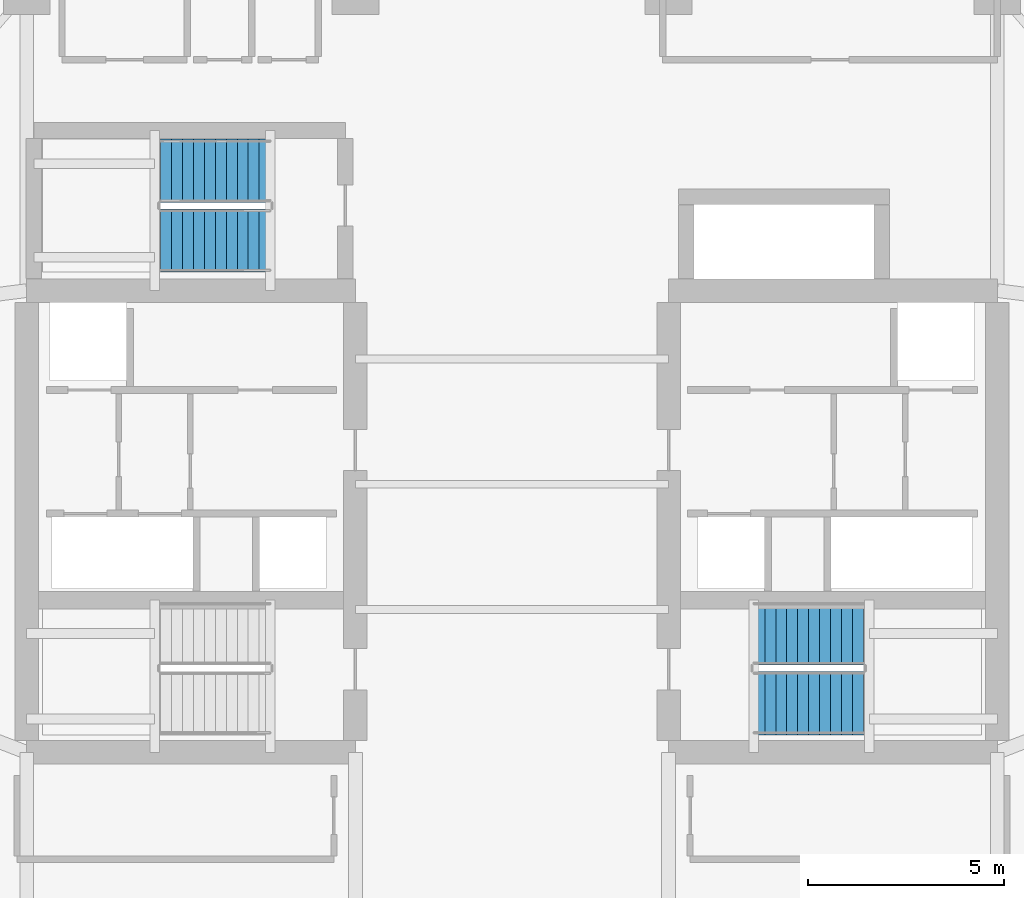
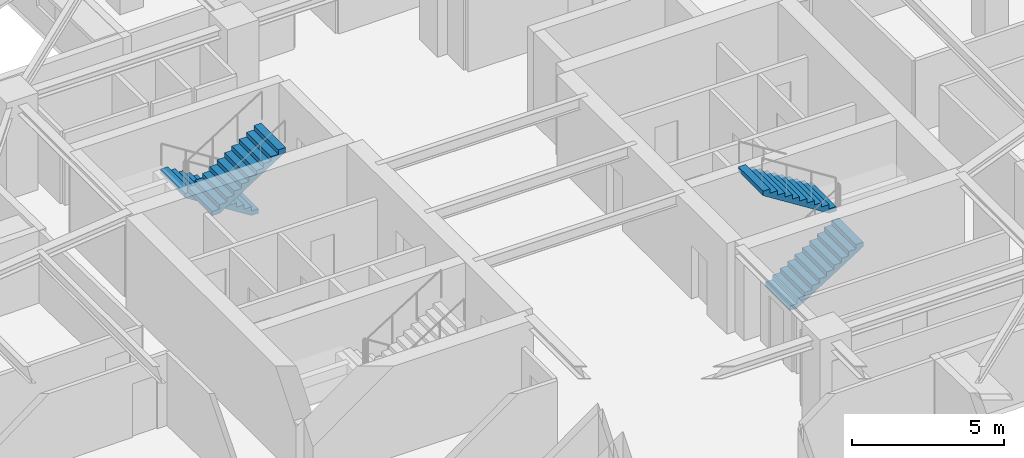
# One storey, part 8 of 13: 4 stair flights, 2 elements without a shape of their own.
"""IFC4 building model written with IfcOpenShell, lengths in metres."""

from ifc_helpers import new_model, si_unit, direction, frame, origin, place, context, subcontext, project, spatial, polyline, outline, extrude, material, layer, layer_set, type_object, element, aggregate, save


model = new_model("IFC4")

# Units and contexts
model_context = context("Model", 3, precision=1e-05, world=origin(), true_north=direction((0.0, 1.0)))
body_context = subcontext(model_context, "Body", "Model", "MODEL_VIEW")
ifc_project = project(units=[si_unit("LENGTHUNIT", "METRE"), si_unit("AREAUNIT", "SQUARE_METRE"), si_unit("VOLUMEUNIT", "CUBIC_METRE"), si_unit("PLANEANGLEUNIT", "RADIAN"), si_unit("MASSUNIT", "GRAM", prefix="KILO")], contexts=[model_context])

# Site, building, storey
site_placement = place(None, origin())
site = spatial("IfcSite", under=ifc_project, at=site_placement, CompositionType="ELEMENT")
building_placement = place(site_placement, origin())
building = spatial("IfcBuilding", under=site, at=building_placement, Name="Qingluan Cross Belvedere", CompositionType="ELEMENT")
storey_placement = place(building_placement, frame((0.0, 0.0, 187.800048828125)))
storey = spatial("IfcBuildingStorey", under=building, at=storey_placement, Name="L47", CompositionType="ELEMENT", Elevation=187.800048828125)

# Stair, stair flights
ifc_material_1 = material(Name="Concrete C40", Category="concrete")
stair_type = type_object("IfcStairType", Name="CoreDoglegStair_1620", PredefinedType="HALF_TURN_STAIR", material=ifc_material_1)
stair_1_placement = place(storey_placement, origin())
stair_1 = element("IfcStair", 1, at=stair_1_placement, inside=storey, type_object=stair_type, Name="L47 ST2", PredefinedType="HALF_TURN_STAIR")
ifc_material_2 = material(Name="Concrete C40", Category="concrete")
ifc_layer = layer(ifc_material_2, 0.179931640625, Name="StairFlight_RC180")
ifc_layer_set = layer_set([ifc_layer], Name="Concrete C40")
stair_flight_type = type_object("IfcStairFlightType", Name="StairFlight_RC180", PredefinedType="STRAIGHT", material=ifc_layer_set)
stair_flight_1_placement = place(storey_placement, frame((6.179931640625, -5.590087890625, 0.0), z_axis=(0.0, 0.0, 1.0), x_axis=(1.0, 0.0, 0.0)))
stair_flight_1 = element("IfcStairFlight", 2, at=stair_flight_1_placement, type_object=stair_flight_type, Name="ST2 flight 1", NumberOfRisers=11, NumberOfTreads=10, PredefinedType="STRAIGHT", RiserHeight=0.177272727, TreadLength=0.28, context=body_context, shape_type="SweptSolid", body=[
    extrude(outline(polyline([(0.0, 0.0), (0.0, 0.17724609375), (0.280029296875, 0.17724609375), (0.280029296875, 0.3544921875), (0.56005859375, 0.3544921875), (0.56005859375, 0.53173828125), (0.840087890625, 0.53173828125), (0.840087890625, 0.708984375), (1.1201171875, 0.708984375), (1.1201171875, 0.886474609375), (1.39990234375, 0.886474609375), (1.39990234375, 1.063720703125), (1.679931640625, 1.063720703125), (1.679931640625, 1.240966796875), (1.9599609375, 1.240966796875), (1.9599609375, 1.418212890625), (2.239990234375, 1.418212890625), (2.239990234375, 1.595458984375), (2.52001953125, 1.595458984375), (2.52001953125, 1.772705078125), (2.800048828125, 1.772705078125), (2.800048828125, 1.949951171875), (2.800048828125, 1.59521484375), (0.2802734375, 0.0), (0.0, 0.0)])), frame((0.0, 0.81005859375, 0.0), z_axis=(0.0, -1.0, 0.0), x_axis=(1.0, 0.0, 0.0)), (0.0, 0.0, 1.0), 1.6201171875),
])
stair_flight_2_placement = place(storey_placement, frame((8.97998046875, -3.81005859375, 1.949951171875), z_axis=(0.0, 0.0, 1.0), x_axis=(-1.0, 0.0, 0.0)))
stair_flight_2 = element("IfcStairFlight", 3, at=stair_flight_2_placement, type_object=stair_flight_type, Name="ST2 flight 2", NumberOfRisers=11, NumberOfTreads=10, PredefinedType="STRAIGHT", RiserHeight=0.177272727, TreadLength=0.28, context=body_context, shape_type="SweptSolid", body=[
    extrude(outline(polyline([(0.0, 0.0), (0.0, 0.17724609375), (0.280029296875, 0.17724609375), (0.280029296875, 0.3544921875), (0.56005859375, 0.3544921875), (0.56005859375, 0.53173828125), (0.840087890625, 0.53173828125), (0.840087890625, 0.708984375), (1.1201171875, 0.708984375), (1.1201171875, 0.886474609375), (1.39990234375, 0.886474609375), (1.39990234375, 1.063720703125), (1.679931640625, 1.063720703125), (1.679931640625, 1.240966796875), (1.9599609375, 1.240966796875), (1.9599609375, 1.418212890625), (2.239990234375, 1.418212890625), (2.239990234375, 1.595458984375), (2.52001953125, 1.595458984375), (2.52001953125, 1.772705078125), (2.800048828125, 1.772705078125), (2.800048828125, 1.949951171875), (2.800048828125, 1.59521484375), (0.2802734375, 0.0), (0.0, 0.0)])), frame((0.0, 0.81005859375, 0.0), z_axis=(0.0, -1.0, 0.0), x_axis=(1.0, 0.0, 0.0)), (0.0, 0.0, 1.0), 1.6201171875),
])
aggregate(stair_1, [stair_flight_1, stair_flight_2])

stair_2_placement = place(storey_placement, origin())
stair_2 = element("IfcStair", 4, at=stair_2_placement, inside=storey, type_object=stair_type, Name="L47 ST3", PredefinedType="HALF_TURN_STAIR")
stair_flight_3_placement = place(storey_placement, frame((-6.179931640625, 8.010009765625, 0.0), z_axis=(0.0, 0.0, 1.0), x_axis=(-1.0, 0.0, 0.0)))
stair_flight_3 = element("IfcStairFlight", 5, at=stair_flight_3_placement, type_object=stair_flight_type, Name="ST3 flight 1", NumberOfRisers=11, NumberOfTreads=10, PredefinedType="STRAIGHT", RiserHeight=0.177272727, TreadLength=0.28, context=body_context, shape_type="SweptSolid", body=[
    extrude(outline(polyline([(0.0, 0.0), (0.0, 0.17724609375), (0.280029296875, 0.17724609375), (0.280029296875, 0.3544921875), (0.56005859375, 0.3544921875), (0.56005859375, 0.53173828125), (0.840087890625, 0.53173828125), (0.840087890625, 0.708984375), (1.1201171875, 0.708984375), (1.1201171875, 0.886474609375), (1.39990234375, 0.886474609375), (1.39990234375, 1.063720703125), (1.679931640625, 1.063720703125), (1.679931640625, 1.240966796875), (1.9599609375, 1.240966796875), (1.9599609375, 1.418212890625), (2.239990234375, 1.418212890625), (2.239990234375, 1.595458984375), (2.52001953125, 1.595458984375), (2.52001953125, 1.772705078125), (2.800048828125, 1.772705078125), (2.800048828125, 1.949951171875), (2.800048828125, 1.59521484375), (0.2802734375, 0.0), (0.0, 0.0)])), frame((0.0, 0.81005859375, 0.0), z_axis=(0.0, -1.0, 0.0), x_axis=(1.0, 0.0, 0.0)), (0.0, 0.0, 1.0), 1.6201171875),
])
stair_flight_4_placement = place(storey_placement, frame((-8.97998046875, 6.22998046875, 1.949951171875), z_axis=(0.0, 0.0, 1.0), x_axis=(1.0, 0.0, 0.0)))
stair_flight_4 = element("IfcStairFlight", 6, at=stair_flight_4_placement, type_object=stair_flight_type, Name="ST3 flight 2", NumberOfRisers=11, NumberOfTreads=10, PredefinedType="STRAIGHT", RiserHeight=0.177272727, TreadLength=0.28, context=body_context, shape_type="SweptSolid", body=[
    extrude(outline(polyline([(0.0, 0.0), (0.0, 0.17724609375), (0.280029296875, 0.17724609375), (0.280029296875, 0.3544921875), (0.56005859375, 0.3544921875), (0.56005859375, 0.53173828125), (0.840087890625, 0.53173828125), (0.840087890625, 0.708984375), (1.1201171875, 0.708984375), (1.1201171875, 0.886474609375), (1.39990234375, 0.886474609375), (1.39990234375, 1.063720703125), (1.679931640625, 1.063720703125), (1.679931640625, 1.240966796875), (1.9599609375, 1.240966796875), (1.9599609375, 1.418212890625), (2.239990234375, 1.418212890625), (2.239990234375, 1.595458984375), (2.52001953125, 1.595458984375), (2.52001953125, 1.772705078125), (2.800048828125, 1.772705078125), (2.800048828125, 1.949951171875), (2.800048828125, 1.59521484375), (0.2802734375, 0.0), (0.0, 0.0)])), frame((0.0, 0.81005859375, 0.0), z_axis=(0.0, -1.0, 0.0), x_axis=(1.0, 0.0, 0.0)), (0.0, 0.0, 1.0), 1.6201171875),
])
aggregate(stair_2, [stair_flight_3, stair_flight_4])

save(model, "model.ifc")
